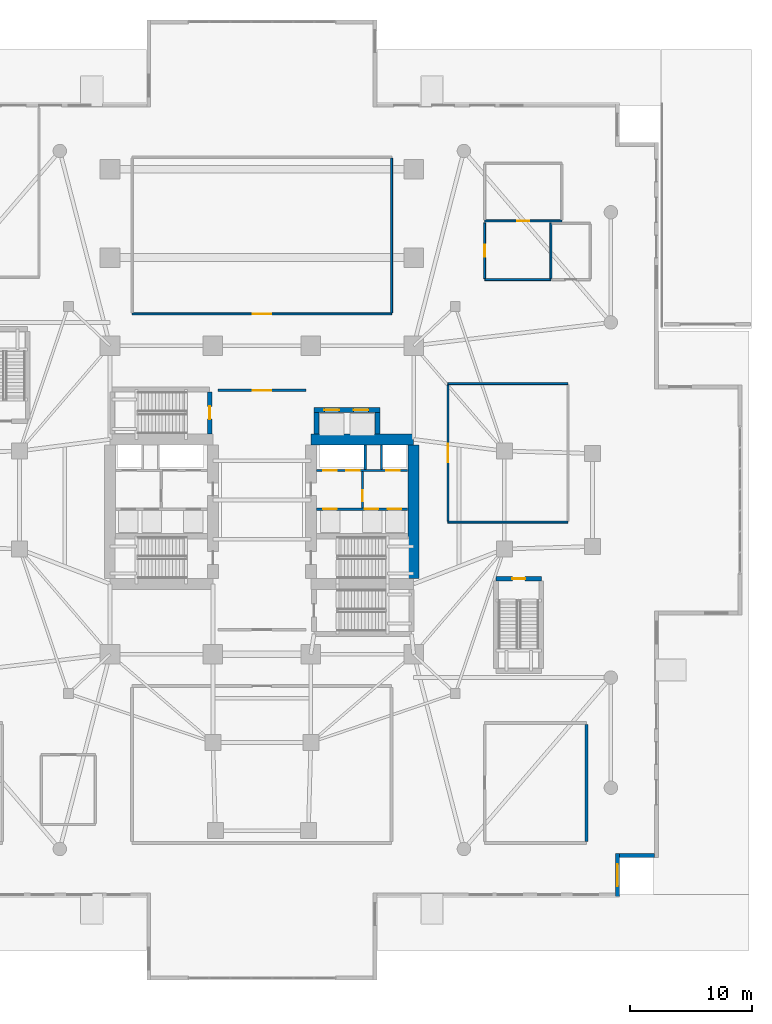
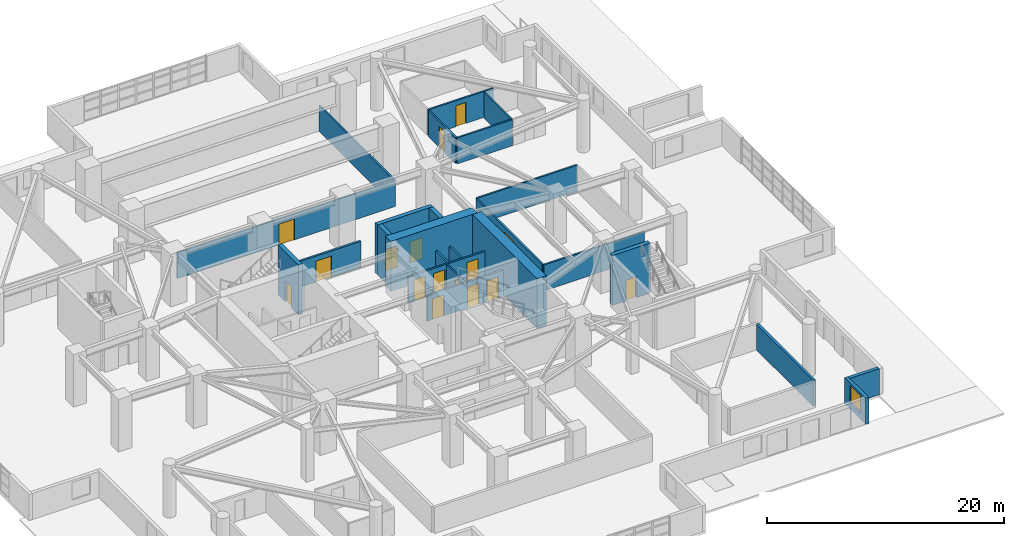
# One storey, part 15 of 24: 25 walls, 16 doors, 1 window, 17 openings.
"""IFC4 building model written with IfcOpenShell, lengths in metres."""

from ifc_helpers import new_model, si_unit, direction, frame, frame_2d, origin, place, context, subcontext, project, spatial, rectangle, extrude, material, layer, layer_set, type_object, element, fill, save


model = new_model("IFC4")

# Units and contexts
model_context = context("Model", 3, precision=1e-05, world=origin(), true_north=direction((0.0, 1.0)))
body_context = subcontext(model_context, "Body", "Model", "MODEL_VIEW")
ifc_project = project(units=[si_unit("LENGTHUNIT", "METRE"), si_unit("AREAUNIT", "SQUARE_METRE"), si_unit("VOLUMEUNIT", "CUBIC_METRE"), si_unit("PLANEANGLEUNIT", "RADIAN"), si_unit("MASSUNIT", "GRAM", prefix="KILO")], contexts=[model_context])

# Site, building, storey
site_placement = place(None, origin())
site = spatial("IfcSite", under=ifc_project, at=site_placement, CompositionType="ELEMENT")
building_placement = place(site_placement, origin())
building = spatial("IfcBuilding", under=site, at=building_placement, Name="Qingluan Cross Belvedere", CompositionType="ELEMENT")
storey_placement = place(building_placement, origin())
storey = spatial("IfcBuildingStorey", under=building, at=storey_placement, Name="L01", CompositionType="ELEMENT", Elevation=0.0)

# Wall, opening, door
ifc_material_1 = material(Name="Concrete C50", Category="concrete")
ifc_layer_1 = layer(ifc_material_1, 0.449951171875, Name="CoreShearWall_450")
ifc_layer_set_1 = layer_set([ifc_layer_1], Name="Concrete C50")
wall_type_1 = type_object("IfcWallType", Name="CoreShearWall_450", PredefinedType="SHEAR", material=ifc_layer_set_1)
wall_1_placement = place(storey_placement, frame((-4.260009765625, 5.405029296875, 0.0), z_axis=(0.0, 0.0, 1.0), x_axis=(0.0, 1.0, 0.0)))
wall_1 = element("IfcWall", 1, at=wall_1_placement, inside=storey, type_object=wall_type_1, Name="Stair ST3 structural wall E L01", PredefinedType="SHEAR", context=body_context, shape_type="SweptSolid", body=[
    extrude(rectangle(XDim=3.429931640625, YDim=0.39990234375, at=frame_2d((1.71484375, 0.0))), origin(), (0.0, 0.0, 1.0), 5.14990234375),
])
opening_1_placement = place(wall_1_placement, frame((1.195068359375, 0.0, 0.0)))
opening_1 = element("IfcOpeningElement", 2, at=opening_1_placement, cuts=wall_1, Name="Opening FD-B11", PredefinedType="OPENING", context=body_context, shape_type="SweptSolid", body=[
    extrude(rectangle(XDim=1.050048828125, YDim=2.14990234375, at=frame_2d((0.52490234375, 1.074951171875))), frame((0.0, 0.2099609375, 0.0), z_axis=(0.0, -1.0, 0.0), x_axis=(1.0, 0.0, 0.0)), (0.0, 0.0, 1.0), 0.419921875),
])
ifc_material_2 = material(Name="Steel Class B smoke-seal fire door", Category="steel")
door_type_1 = type_object("IfcDoorType", Name="StairLobbyFireDoor_FDB", OperationType="NOTDEFINED", PredefinedType="DOOR", material=ifc_material_2)
door_1_placement = place(opening_1_placement, origin())
door_1 = element("IfcDoor", 3, at=door_1_placement, inside=storey, type_object=door_type_1, Name="Smoke-proof stair ST3 fire door L01", OperationType="SINGLE_SWING_RIGHT", OverallHeight=2.14990234375, OverallWidth=1.050048828125, PredefinedType="DOOR", context=body_context, shape_type="SweptSolid", body=[
    extrude(rectangle(XDim=1.050048828125, YDim=2.14990234375, at=frame_2d((0.52490234375, 1.074951171875))), frame((0.0, 0.02490234375, 0.0), z_axis=(0.0, -1.0, 0.0), x_axis=(1.0, 0.0, 0.0)), (0.0, 0.0, 1.0), 0.050048828125),
])
fill(opening_1, door_1)

wall_2_placement = place(storey_placement, frame((19.1201171875, -6.429931640625, 0.0), z_axis=(0.0, 0.0, 1.0), x_axis=(1.0, 0.0, 0.0)))
wall_2 = element("IfcWall", 4, at=wall_2_placement, inside=storey, type_object=wall_type_1, Name="Stair ST6 structural wall N L01", PredefinedType="SHEAR", context=body_context, shape_type="SweptSolid", body=[
    extrude(rectangle(XDim=3.699951171875, YDim=0.39990234375, at=frame_2d((1.85009765625, 0.0))), origin(), (0.0, 0.0, 1.0), 5.14990234375),
])
opening_2_placement = place(wall_2_placement, frame((1.330078125, 0.0, 0.0)))
opening_2 = element("IfcOpeningElement", 5, at=opening_2_placement, cuts=wall_2, Name="Opening FD-B11", PredefinedType="OPENING", context=body_context, shape_type="SweptSolid", body=[
    extrude(rectangle(XDim=1.050048828125, YDim=2.14990234375, at=frame_2d((0.52490234375, 1.074951171875))), frame((0.0, 0.2099609375, 0.0), z_axis=(0.0, -1.0, 0.0), x_axis=(1.0, 0.0, 0.0)), (0.0, 0.0, 1.0), 0.419921875),
])
door_2_placement = place(opening_2_placement, origin())
door_2 = element("IfcDoor", 6, at=door_2_placement, inside=storey, type_object=door_type_1, Name="Podium stair ST6 smoke-proof fire door L01", OperationType="SINGLE_SWING_LEFT", OverallHeight=2.14990234375, OverallWidth=1.050048828125, PredefinedType="DOOR", context=body_context, shape_type="SweptSolid", body=[
    extrude(rectangle(XDim=1.050048828125, YDim=2.14990234375, at=frame_2d((0.52490234375, 1.074951171875))), frame((0.0, 0.02490234375, 0.0), z_axis=(0.0, -1.0, 0.0), x_axis=(1.0, 0.0, 0.0)), (0.0, 0.0, 1.0), 0.050048828125),
])
fill(opening_2, door_2)

# Wall
wall_3_placement = place(storey_placement, frame((4.449951171875, 5.405029296875, 0.0), z_axis=(0.0, 0.0, 1.0), x_axis=(0.0, 1.0, 0.0)))
element("IfcWall", 7, at=wall_3_placement, inside=storey, type_object=wall_type_1, Name="Express shuttle core wall L01-W", PredefinedType="SHEAR", context=body_context, shape_type="SweptSolid", body=[
    extrude(rectangle(XDim=1.73486328125, YDim=0.39990234375, at=frame_2d((0.867431640625, 0.0))), origin(), (0.0, 0.0, 1.0), 5.14990234375),
])

# Wall, openings, doors
wall_4_placement = place(storey_placement, frame((4.25, 7.35009765625, 0.0), z_axis=(0.0, 0.0, 1.0), x_axis=(1.0, 0.0, 0.0)))
wall_4 = element("IfcWall", 8, at=wall_4_placement, inside=storey, type_object=wall_type_1, Name="Express shuttle core wall L01-N", PredefinedType="SHEAR", context=body_context, shape_type="SweptSolid", body=[
    extrude(rectangle(XDim=5.39990234375, YDim=0.39990234375, at=frame_2d((2.699951171875, 0.0))), origin(), (0.0, 0.0, 1.0), 5.14990234375),
])
opening_3_placement = place(wall_4_placement, frame((0.85009765625, 0.0, 0.0)))
opening_3 = element("IfcOpeningElement", 9, at=opening_3_placement, cuts=wall_4, Name="Opening LD-12", PredefinedType="OPENING", context=body_context, shape_type="SweptSolid", body=[
    extrude(rectangle(XDim=1.199951171875, YDim=2.199951171875, at=frame_2d((0.60009765625, 1.10009765625))), frame((0.0, 0.2099609375, 0.0), z_axis=(0.0, -1.0, 0.0), x_axis=(1.0, 0.0, 0.0)), (0.0, 0.0, 1.0), 0.419921875),
])
opening_4_placement = place(wall_4_placement, frame((3.25, 0.0, 0.0)))
opening_4 = element("IfcOpeningElement", 10, at=opening_4_placement, cuts=wall_4, Name="Opening LD-12", PredefinedType="OPENING", context=body_context, shape_type="SweptSolid", body=[
    extrude(rectangle(XDim=1.199951171875, YDim=2.199951171875, at=frame_2d((0.60009765625, 1.10009765625))), frame((0.0, 0.2099609375, 0.0), z_axis=(0.0, -1.0, 0.0), x_axis=(1.0, 0.0, 0.0)), (0.0, 0.0, 1.0), 0.419921875),
])
ifc_material_3 = material(Name="Bronze-anodised stainless steel lift landing door", Category="steel")
door_type_2 = type_object("IfcDoorType", Name="ExpressLiftSlidingDoor_1200", OperationType="DOUBLE_DOOR_SLIDING", PredefinedType="DOOR", material=ifc_material_3)
door_3_placement = place(opening_3_placement, origin())
door_3 = element("IfcDoor", 11, at=door_3_placement, inside=storey, type_object=door_type_2, Name="Express shuttle landing sliding door LPX1 L01", OperationType="DOUBLE_DOOR_SLIDING", OverallHeight=2.199951171875, OverallWidth=1.199951171875, PredefinedType="DOOR", context=body_context, shape_type="SweptSolid", body=[
    extrude(rectangle(XDim=1.199951171875, YDim=2.199951171875, at=frame_2d((0.60009765625, 1.10009765625))), frame((0.0, 0.02490234375, 0.0), z_axis=(0.0, -1.0, 0.0), x_axis=(1.0, 0.0, 0.0)), (0.0, 0.0, 1.0), 0.050048828125),
])
fill(opening_3, door_3)
door_4_placement = place(opening_4_placement, origin())
door_4 = element("IfcDoor", 12, at=door_4_placement, inside=storey, type_object=door_type_2, Name="Express shuttle landing sliding door LPX2 L01", OperationType="DOUBLE_DOOR_SLIDING", OverallHeight=2.199951171875, OverallWidth=1.199951171875, PredefinedType="DOOR", context=body_context, shape_type="SweptSolid", body=[
    extrude(rectangle(XDim=1.199951171875, YDim=2.199951171875, at=frame_2d((0.60009765625, 1.10009765625))), frame((0.0, 0.02490234375, 0.0), z_axis=(0.0, -1.0, 0.0), x_axis=(1.0, 0.0, 0.0)), (0.0, 0.0, 1.0), 0.050048828125),
])
fill(opening_4, door_4)

# Walls
wall_5_placement = place(storey_placement, frame((9.449951171875, 5.405029296875, 0.0), z_axis=(0.0, 0.0, 1.0), x_axis=(0.0, 1.0, 0.0)))
element("IfcWall", 13, at=wall_5_placement, inside=storey, type_object=wall_type_1, Name="Express shuttle core wall L01-E", PredefinedType="SHEAR", context=body_context, shape_type="SweptSolid", body=[
    extrude(rectangle(XDim=1.73486328125, YDim=0.39990234375, at=frame_2d((0.867431640625, 0.0))), origin(), (0.0, 0.0, 1.0), 5.14990234375),
])
ifc_material_4 = material(Name="Concrete C70", Category="concrete")
ifc_layer_2 = layer(ifc_material_4, 0.89990234375, Name="CoreShearWall_900")
ifc_layer_set_2 = layer_set([ifc_layer_2], Name="Concrete C70")
wall_type_2 = type_object("IfcWallType", Name="CoreShearWall_900", PredefinedType="SHEAR", material=ifc_layer_set_2)
wall_6_placement = place(storey_placement, frame((4.0, 4.949951171875, 0.0), z_axis=(0.0, 0.0, 1.0), x_axis=(1.0, 0.0, 0.0)))
element("IfcWall", 14, at=wall_6_placement, inside=storey, type_object=wall_type_2, Name="Split core E shear wall L01-N", PredefinedType="SHEAR", context=body_context, shape_type="SweptSolid", body=[
    extrude(rectangle(XDim=8.39990234375, YDim=0.89990234375, at=frame_2d((4.199951171875, 0.0))), origin(), (0.0, 0.0, 1.0), 5.14990234375),
])
wall_7_placement = place(storey_placement, frame((12.39990234375, -6.39501953125, 0.0), z_axis=(0.0, 0.0, 1.0), x_axis=(0.0, 1.0, 0.0)))
element("IfcWall", 15, at=wall_7_placement, inside=storey, type_object=wall_type_2, Name="Split core E shear wall L01-E", PredefinedType="SHEAR", context=body_context, shape_type="SweptSolid", body=[
    extrude(rectangle(XDim=10.89013671875, YDim=0.89990234375, at=frame_2d((5.445068359375, 0.0))), origin(), (0.0, 0.0, 1.0), 5.14990234375),
])

# Wall, opening, door
ifc_material_5 = material(Name="Gypsum plasterboard on steel stud acoustic partition", Category="steel")
ifc_layer_3 = layer(ifc_material_5, 0.159912109375, Name="CorridorPartition_160")
ifc_layer_set_3 = layer_set([ifc_layer_3], Name="Gypsum plasterboard on steel stud acoustic partition")
wall_type_3 = type_object("IfcWallType", Name="CorridorPartition_160", PredefinedType="PARTITIONING", material=ifc_layer_set_3)
wall_8_placement = place(storey_placement, frame((-3.60009765625, 8.949951171875, 0.0), z_axis=(0.0, 0.0, 1.0), x_axis=(1.0, 0.0, 0.0)))
wall_8 = element("IfcWall", 16, at=wall_8_placement, inside=storey, type_object=wall_type_3, Name="Partition L01:ll_n:N", PredefinedType="PARTITIONING", context=body_context, shape_type="SweptSolid", body=[
    extrude(rectangle(XDim=7.2001953125, YDim=0.199951171875, at=frame_2d((3.60009765625, 0.0))), origin(), (0.0, 0.0, 1.0), 2.669921875),
])
opening_5_placement = place(wall_8_placement, frame((2.85009765625, 0.0, 0.0)))
opening_5 = element("IfcOpeningElement", 17, at=opening_5_placement, cuts=wall_8, Name="Opening FD-A15", PredefinedType="OPENING", context=body_context, shape_type="SweptSolid", body=[
    extrude(rectangle(XDim=1.5, YDim=2.14990234375, at=frame_2d((0.75, 1.074951171875))), frame((0.0, 0.10986328125, 0.0), z_axis=(0.0, -1.0, 0.0), x_axis=(1.0, 0.0, 0.0)), (0.0, 0.0, 1.0), 0.219970703125),
])
ifc_material_6 = material(Name="Insulated steel Class A double fire door", Category="steel")
door_type_3 = type_object("IfcDoorType", Name="PlantDoubleFireDoor_FDA", OperationType="DOUBLE_DOOR_SINGLE_SWING", PredefinedType="DOOR", material=ifc_material_6)
door_5_placement = place(opening_5_placement, origin())
door_5 = element("IfcDoor", 18, at=door_5_placement, inside=storey, type_object=door_type_3, Name="Ground stair lobby north exit door L01", OperationType="DOUBLE_DOOR_SINGLE_SWING", OverallHeight=2.14990234375, OverallWidth=1.5, PredefinedType="DOOR", context=body_context, shape_type="SweptSolid", body=[
    extrude(rectangle(XDim=1.5, YDim=2.14990234375, at=frame_2d((0.75, 1.074951171875))), frame((0.0, 0.02490234375, 0.0), z_axis=(0.0, -1.0, 0.0), x_axis=(1.0, 0.0, 0.0)), (0.0, 0.0, 1.0), 0.050048828125),
])
fill(opening_5, door_5)

wall_9_placement = place(storey_placement, frame((-10.60009765625, 15.199951171875, 0.0), z_axis=(0.0, 0.0, 1.0), x_axis=(1.0, 0.0, 0.0)))
wall_9 = element("IfcWall", 19, at=wall_9_placement, inside=storey, type_object=wall_type_3, Name="Partition L01:grand_ballroom:S", PredefinedType="PARTITIONING", context=body_context, shape_type="SweptSolid", body=[
    extrude(rectangle(XDim=21.2001953125, YDim=0.159912109375, at=frame_2d((10.60009765625, 0.0))), origin(), (0.0, 0.0, 1.0), 2.669921875),
])
opening_6_placement = place(wall_9_placement, frame((9.85009765625, 0.0, 0.0)))
opening_6 = element("IfcOpeningElement", 20, at=opening_6_placement, cuts=wall_9, Name="Opening FD-A15", PredefinedType="OPENING", context=body_context, shape_type="SweptSolid", body=[
    extrude(rectangle(XDim=1.5, YDim=2.14990234375, at=frame_2d((0.75, 1.074951171875))), frame((0.0, 0.08984375, 0.0), z_axis=(0.0, -1.0, 0.0), x_axis=(1.0, 0.0, 0.0)), (0.0, 0.0, 1.0), 0.179931640625),
])
door_6_placement = place(opening_6_placement, origin())
door_6 = element("IfcDoor", 21, at=door_6_placement, inside=storey, type_object=door_type_3, Name="Column-free grand ballroom L01 door", OperationType="DOUBLE_DOOR_SINGLE_SWING", OverallHeight=2.14990234375, OverallWidth=1.5, PredefinedType="DOOR", context=body_context, shape_type="SweptSolid", body=[
    extrude(rectangle(XDim=1.5, YDim=2.14990234375, at=frame_2d((0.75, 1.074951171875))), frame((0.0, 0.02490234375, 0.0), z_axis=(0.0, -1.0, 0.0), x_axis=(1.0, 0.0, 0.0)), (0.0, 0.0, 1.0), 0.050048828125),
])
fill(opening_6, door_6)

# Walls
wall_10_placement = place(storey_placement, frame((10.60009765625, 15.284912109375, 0.0), z_axis=(0.0, 0.0, 1.0), x_axis=(0.0, 1.0, 0.0)))
element("IfcWall", 22, at=wall_10_placement, inside=storey, type_object=wall_type_3, Name="Partition L01:grand_ballroom:E", PredefinedType="PARTITIONING", context=body_context, shape_type="SweptSolid", body=[
    extrude(rectangle(XDim=12.630126953125, YDim=0.159912109375, at=frame_2d((6.31494140625, 0.0))), origin(), (0.0, 0.0, 1.0), 2.669921875),
])
for number, where, z_axis, x_axis, name in (
    (23, (15.199951171875, -1.800048828125, 0.0), (0.0, 0.0, 1.0), (1.0, 0.0, 0.0), "Partition L01:obs_ticketing:S"),
    (24, (15.199951171875, 9.5, 0.0), (0.0, 0.0, 1.0), (1.0, 0.0, 0.0), "Partition L01:obs_ticketing:N"),
):
    element("IfcWall", number, at=place(storey_placement, frame(where, z_axis=z_axis, x_axis=x_axis)), inside=storey, type_object=wall_type_3, Name=name, PredefinedType="PARTITIONING", context=body_context, shape_type="SweptSolid", body=[
        extrude(rectangle(XDim=9.800048828125, YDim=0.159912109375, at=frame_2d((4.89990234375, 0.0))), origin(), (0.0, 0.0, 1.0), 2.669921875),
    ])

# Wall, opening, door
wall_11_placement = place(storey_placement, frame((15.199951171875, -1.715087890625, 0.0), z_axis=(0.0, 0.0, 1.0), x_axis=(0.0, 1.0, 0.0)))
wall_11 = element("IfcWall", 25, at=wall_11_placement, inside=storey, type_object=wall_type_3, Name="Partition L01:obs_ticketing:W", PredefinedType="PARTITIONING", context=body_context, shape_type="SweptSolid", body=[
    extrude(rectangle(XDim=11.130126953125, YDim=0.159912109375, at=frame_2d((5.56494140625, 0.0))), origin(), (0.0, 0.0, 1.0), 2.669921875),
])
opening_7_placement = place(wall_11_placement, frame((4.81494140625, 0.0, 0.0)))
opening_7 = element("IfcOpeningElement", 26, at=opening_7_placement, cuts=wall_11, Name="Opening FD-A15", PredefinedType="OPENING", context=body_context, shape_type="SweptSolid", body=[
    extrude(rectangle(XDim=1.5, YDim=2.14990234375, at=frame_2d((0.75, 1.074951171875))), frame((0.0, 0.08984375, 0.0), z_axis=(0.0, -1.0, 0.0), x_axis=(1.0, 0.0, 0.0)), (0.0, 0.0, 1.0), 0.179931640625),
])
door_7_placement = place(opening_7_placement, origin())
door_7 = element("IfcDoor", 27, at=door_7_placement, inside=storey, type_object=door_type_3, Name="Observation express shuttle ticketing foyer L01 door", OperationType="DOUBLE_DOOR_SINGLE_SWING", OverallHeight=2.14990234375, OverallWidth=1.5, PredefinedType="DOOR", context=body_context, shape_type="SweptSolid", body=[
    extrude(rectangle(XDim=1.5, YDim=2.14990234375, at=frame_2d((0.75, 1.074951171875))), frame((0.0, 0.02490234375, 0.0), z_axis=(0.0, -1.0, 0.0), x_axis=(1.0, 0.0, 0.0)), (0.0, 0.0, 1.0), 0.050048828125),
])
fill(opening_7, door_7)

wall_12_placement = place(storey_placement, frame((18.199951171875, 22.800048828125, 0.0), z_axis=(0.0, 0.0, 1.0), x_axis=(1.0, 0.0, 0.0)))
wall_12 = element("IfcWall", 28, at=wall_12_placement, inside=storey, type_object=wall_type_3, Name="Partition L01:luggage_rm:S", PredefinedType="PARTITIONING", context=body_context, shape_type="SweptSolid", body=[
    extrude(rectangle(XDim=6.300048828125, YDim=0.159912109375, at=frame_2d((3.14990234375, 0.0))), origin(), (0.0, 0.0, 1.0), 2.669921875),
])
opening_8_placement = place(wall_12_placement, frame((2.669921875, 0.0, 0.0)))
opening_8 = element("IfcOpeningElement", 29, at=opening_8_placement, cuts=wall_12, Name="Opening GD-10", PredefinedType="OPENING", context=body_context, shape_type="SweptSolid", body=[
    extrude(rectangle(XDim=0.9599609375, YDim=2.14990234375, at=frame_2d((0.47998046875, 1.074951171875))), frame((0.0, 0.08984375, 0.0), z_axis=(0.0, -1.0, 0.0), x_axis=(1.0, 0.0, 0.0)), (0.0, 0.0, 1.0), 0.179931640625),
])
ifc_material_7 = material(Name="Timber oak fire-rated acoustic guestroom door", Category="wood")
door_type_4 = type_object("IfcDoorType", Name="GuestEntryDoor_FD60", OperationType="NOTDEFINED", PredefinedType="DOOR", material=ifc_material_7)
door_8_placement = place(opening_8_placement, origin())
door_8 = element("IfcDoor", 30, at=door_8_placement, inside=storey, type_object=door_type_4, Name="Guest luggage storage room L01 door", OperationType="SINGLE_SWING_LEFT", OverallHeight=2.14990234375, OverallWidth=0.9599609375, PredefinedType="DOOR", context=body_context, shape_type="SweptSolid", body=[
    extrude(rectangle(XDim=0.9599609375, YDim=2.14990234375, at=frame_2d((0.47998046875, 1.074951171875))), frame((0.0, 0.02490234375, 0.0), z_axis=(0.0, -1.0, 0.0), x_axis=(1.0, 0.0, 0.0)), (0.0, 0.0, 1.0), 0.050048828125),
])
fill(opening_8, door_8)

# Wall
wall_13_placement = place(storey_placement, frame((18.199951171875, 18.0, 0.0), z_axis=(0.0, 0.0, 1.0), x_axis=(1.0, 0.0, 0.0)))
element("IfcWall", 31, at=wall_13_placement, inside=storey, type_object=wall_type_3, Name="Partition L01:pub_wc_m:S", PredefinedType="PARTITIONING", context=body_context, shape_type="SweptSolid", body=[
    extrude(rectangle(XDim=5.400146484375, YDim=0.159912109375, at=frame_2d((2.7001953125, 0.0))), origin(), (0.0, 0.0, 1.0), 2.669921875),
])

# Wall, opening, door
wall_14_placement = place(storey_placement, frame((18.199951171875, 18.0849609375, 0.0), z_axis=(0.0, 0.0, 1.0), x_axis=(0.0, 1.0, 0.0)))
wall_14 = element("IfcWall", 32, at=wall_14_placement, inside=storey, type_object=wall_type_3, Name="Partition L01:pub_wc_m:W", PredefinedType="PARTITIONING", context=body_context, shape_type="SweptSolid", body=[
    extrude(rectangle(XDim=4.550048828125, YDim=0.159912109375, at=frame_2d((2.27490234375, 0.0))), origin(), (0.0, 0.0, 1.0), 2.669921875),
])
opening_9_placement = place(wall_14_placement, frame((1.794921875, 0.0, 0.0)))
opening_9 = element("IfcOpeningElement", 33, at=opening_9_placement, cuts=wall_14, Name="Opening GD-10", PredefinedType="OPENING", context=body_context, shape_type="SweptSolid", body=[
    extrude(rectangle(XDim=0.9599609375, YDim=2.14990234375, at=frame_2d((0.47998046875, 1.074951171875))), frame((0.0, 0.08984375, 0.0), z_axis=(0.0, -1.0, 0.0), x_axis=(1.0, 0.0, 0.0)), (0.0, 0.0, 1.0), 0.179931640625),
])
door_9_placement = place(opening_9_placement, origin())
door_9 = element("IfcDoor", 34, at=door_9_placement, inside=storey, type_object=door_type_4, Name="Public washrooms L01 door", OperationType="SINGLE_SWING_RIGHT", OverallHeight=2.14990234375, OverallWidth=0.9599609375, PredefinedType="DOOR", context=body_context, shape_type="SweptSolid", body=[
    extrude(rectangle(XDim=0.9599609375, YDim=2.14990234375, at=frame_2d((0.47998046875, 1.074951171875))), frame((0.0, 0.02490234375, 0.0), z_axis=(0.0, -1.0, 0.0), x_axis=(1.0, 0.0, 0.0)), (0.0, 0.0, 1.0), 0.050048828125),
])
fill(opening_9, door_9)

# Walls
wall_15_placement = place(storey_placement, frame((23.60009765625, 18.0849609375, 0.0), z_axis=(0.0, 0.0, 1.0), x_axis=(0.0, 1.0, 0.0)))
element("IfcWall", 35, at=wall_15_placement, inside=storey, type_object=wall_type_3, Name="Partition L01:pub_wc_m:E", PredefinedType="PARTITIONING", context=body_context, shape_type="SweptSolid", body=[
    extrude(rectangle(XDim=4.550048828125, YDim=0.159912109375, at=frame_2d((2.27490234375, 0.0))), origin(), (0.0, 0.0, 1.0), 2.669921875),
])
ifc_material_8 = material(Name="Concrete C40", Category="concrete")
ifc_layer_4 = layer(ifc_material_8, 0.300048828125, Name="FireCompartmentWall_300")
ifc_layer_set_4 = layer_set([ifc_layer_4], Name="Concrete C40")
wall_type_4 = type_object("IfcWallType", Name="FireCompartmentWall_300", PredefinedType="SOLIDWALL", material=ifc_layer_set_4)
wall_16_placement = place(storey_placement, frame((26.5, -27.875, 0.0), z_axis=(0.0, 0.0, 1.0), x_axis=(0.0, 1.0, 0.0)))
element("IfcWall", 36, at=wall_16_placement, inside=storey, type_object=wall_type_4, Name="Partition L01:all_day_dining:E", PredefinedType="SOLIDWALL", context=body_context, shape_type="SweptSolid", body=[
    extrude(rectangle(XDim=9.550048828125, YDim=0.239990234375, at=frame_2d((4.77490234375, 0.0))), origin(), (0.0, 0.0, 1.0), 2.669921875),
])
ifc_material_9 = material(Name="Precast concrete C45", Category="concrete")
ifc_layer_5 = layer(ifc_material_9, 0.320068359375, Name="PrecastPodiumWall_320")
ifc_layer_set_5 = layer_set([ifc_layer_5], Name="Precast concrete C45")
wall_type_5 = type_object("IfcWallType", Name="PrecastPodiumWall_320", PredefinedType="STANDARD", material=ifc_layer_set_5)
wall_17_placement = place(storey_placement, frame((32.080078125, -29.0400390625, 0.0), z_axis=(0.0, 0.0, 1.0), x_axis=(-1.0, 0.0, 0.0)))
element("IfcWall", 37, at=wall_17_placement, inside=storey, type_object=wall_type_5, Name="Podium precast facade wall L01-S31", PredefinedType="STANDARD", context=body_context, shape_type="SweptSolid", body=[
    extrude(rectangle(XDim=2.880126953125, YDim=0.320068359375, at=frame_2d((1.43994140625, 0.0))), origin(), (0.0, 0.0, 1.0), 2.679931640625),
])

# Wall, opening, window
wall_18_placement = place(storey_placement, frame((29.0400390625, -28.8798828125, 0.0), z_axis=(0.0, 0.0, 1.0), x_axis=(0.0, -1.0, 0.0)))
wall_18 = element("IfcWall", 38, at=wall_18_placement, inside=storey, type_object=wall_type_5, Name="Podium precast facade wall L01-S32", PredefinedType="STANDARD", context=body_context, shape_type="SweptSolid", body=[
    extrude(rectangle(XDim=3.52001953125, YDim=0.320068359375, at=frame_2d((1.760009765625, 0.0))), origin(), (0.0, 0.0, 1.0), 2.679931640625),
])
opening_10_placement = place(wall_18_placement, frame((0.85009765625, 0.0, 0.64990234375)))
opening_10 = element("IfcOpeningElement", 39, at=opening_10_placement, cuts=wall_18, Name="Opening W-06", PredefinedType="OPENING", context=body_context, shape_type="SweptSolid", body=[
    extrude(rectangle(XDim=1.800048828125, YDim=1.800048828125, at=frame_2d((0.89990234375, 0.89990234375))), frame((0.0, 0.169921875, 0.0), z_axis=(0.0, -1.0, 0.0), x_axis=(1.0, 0.0, 0.0)), (0.0, 0.0, 1.0), 0.340087890625),
])
ifc_material_10 = material(Name="Thermally broken triple Low-E glass in aluminium frame", Category="aluminium")
window_type = type_object("IfcWindowType", Name="PodiumGalleryWin_1800x1800", PartitioningType="SINGLE_PANEL", PredefinedType="WINDOW", material=ifc_material_10)
window_placement = place(opening_10_placement, origin())
window = element("IfcWindow", 40, at=window_placement, inside=storey, type_object=window_type, Name="Podium gallery window L01-S32", OverallHeight=1.800048828125, OverallWidth=1.800048828125, PartitioningType="SINGLE_PANEL", PredefinedType="WINDOW", context=body_context, shape_type="SweptSolid", body=[
    extrude(rectangle(XDim=1.800048828125, YDim=1.800048828125, at=frame_2d((0.89990234375, 0.89990234375))), frame((0.0, 0.030029296875, 0.0), z_axis=(0.0, -1.0, 0.0), x_axis=(1.0, 0.0, 0.0)), (0.0, 0.0, 1.0), 0.06005859375),
])
fill(opening_10, window)

# Wall, openings, doors
ifc_material_11 = material(Name="Concrete C40", Category="concrete")
ifc_layer_6 = layer(ifc_material_11, 0.219970703125, Name="ShaftEnclosureWall_250")
ifc_layer_set_6 = layer_set([ifc_layer_6], Name="Concrete C40")
wall_type_6 = type_object("IfcWallType", Name="ShaftEnclosureWall_250", PredefinedType="SOLIDWALL", material=ifc_layer_set_6)
wall_19_placement = place(storey_placement, frame((4.47998046875, 2.409912109375, 0.0), z_axis=(0.0, 0.0, 1.0), x_axis=(1.0, 0.0, 0.0)))
wall_19 = element("IfcWall", 41, at=wall_19_placement, inside=storey, type_object=wall_type_6, Name="Core-E north hoistway wall L01", PredefinedType="SOLIDWALL", context=body_context, shape_type="SweptSolid", body=[
    extrude(rectangle(XDim=7.419921875, YDim=0.179931640625, at=frame_2d((3.7099609375, 0.0))), origin(), (0.0, 0.0, 1.0), 2.669921875),
])
opening_11_placement = place(wall_19_placement, frame((5.669921875, 0.0, 0.0)))
opening_11 = element("IfcOpeningElement", 42, at=opening_11_placement, cuts=wall_19, Name="Opening LD-11", PredefinedType="OPENING", context=body_context, shape_type="SweptSolid", body=[
    extrude(rectangle(XDim=1.10009765625, YDim=2.14990234375, at=frame_2d((0.550048828125, 1.074951171875))), frame((0.0, 0.099853515625, 0.0), z_axis=(0.0, -1.0, 0.0), x_axis=(1.0, 0.0, 0.0)), (0.0, 0.0, 1.0), 0.199951171875),
])
opening_12_placement = place(wall_19_placement, frame((0.52001953125, 0.0, 0.0)))
opening_12 = element("IfcOpeningElement", 43, at=opening_12_placement, cuts=wall_19, Name="Opening LD-11", PredefinedType="OPENING", context=body_context, shape_type="SweptSolid", body=[
    extrude(rectangle(XDim=1.10009765625, YDim=2.14990234375, at=frame_2d((0.550048828125, 1.074951171875))), frame((0.0, 0.099853515625, 0.0), z_axis=(0.0, -1.0, 0.0), x_axis=(1.0, 0.0, 0.0)), (0.0, 0.0, 1.0), 0.199951171875),
])
opening_13_placement = place(wall_19_placement, frame((2.419921875, 0.0, 0.0)))
opening_13 = element("IfcOpeningElement", 44, at=opening_13_placement, cuts=wall_19, Name="Opening LD-11", PredefinedType="OPENING", context=body_context, shape_type="SweptSolid", body=[
    extrude(rectangle(XDim=1.10009765625, YDim=2.14990234375, at=frame_2d((0.550048828125, 1.074951171875))), frame((0.0, 0.099853515625, 0.0), z_axis=(0.0, -1.0, 0.0), x_axis=(1.0, 0.0, 0.0)), (0.0, 0.0, 1.0), 0.199951171875),
])
ifc_material_12 = material(Name="Brushed stainless steel centre-opening lift landing door", Category="steel")
door_type_5 = type_object("IfcDoorType", Name="LiftLandingSlidingDoor_1100", OperationType="DOUBLE_DOOR_SLIDING", PredefinedType="DOOR", material=ifc_material_12)
door_10_placement = place(opening_11_placement, origin())
door_10 = element("IfcDoor", 45, at=door_10_placement, inside=storey, type_object=door_type_5, Name="Lift landing sliding door FL2 L01", OperationType="DOUBLE_DOOR_SLIDING", OverallHeight=2.14990234375, OverallWidth=1.10009765625, PredefinedType="DOOR", context=body_context, shape_type="SweptSolid", body=[
    extrude(rectangle(XDim=1.10009765625, YDim=2.14990234375, at=frame_2d((0.550048828125, 1.074951171875))), frame((0.0, 0.02490234375, 0.0), z_axis=(0.0, -1.0, 0.0), x_axis=(1.0, 0.0, 0.0)), (0.0, 0.0, 1.0), 0.050048828125),
])
fill(opening_11, door_10)
door_11_placement = place(opening_12_placement, origin())
door_11 = element("IfcDoor", 46, at=door_11_placement, inside=storey, type_object=door_type_5, Name="Lift landing sliding door LP3 L01", OperationType="DOUBLE_DOOR_SLIDING", OverallHeight=2.14990234375, OverallWidth=1.10009765625, PredefinedType="DOOR", context=body_context, shape_type="SweptSolid", body=[
    extrude(rectangle(XDim=1.10009765625, YDim=2.14990234375, at=frame_2d((0.550048828125, 1.074951171875))), frame((0.0, 0.02490234375, 0.0), z_axis=(0.0, -1.0, 0.0), x_axis=(1.0, 0.0, 0.0)), (0.0, 0.0, 1.0), 0.050048828125),
])
fill(opening_12, door_11)
door_12_placement = place(opening_13_placement, origin())
door_12 = element("IfcDoor", 47, at=door_12_placement, inside=storey, type_object=door_type_5, Name="Lift landing sliding door LP4 L01", OperationType="DOUBLE_DOOR_SLIDING", OverallHeight=2.14990234375, OverallWidth=1.10009765625, PredefinedType="DOOR", context=body_context, shape_type="SweptSolid", body=[
    extrude(rectangle(XDim=1.10009765625, YDim=2.14990234375, at=frame_2d((0.550048828125, 1.074951171875))), frame((0.0, 0.02490234375, 0.0), z_axis=(0.0, -1.0, 0.0), x_axis=(1.0, 0.0, 0.0)), (0.0, 0.0, 1.0), 0.050048828125),
])
fill(opening_13, door_12)

wall_20_placement = place(storey_placement, frame((4.47998046875, -0.75, 0.0), z_axis=(0.0, 0.0, 1.0), x_axis=(1.0, 0.0, 0.0)))
wall_20 = element("IfcWall", 48, at=wall_20_placement, inside=storey, type_object=wall_type_6, Name="Core-E mid hoistway wall L01", PredefinedType="SOLIDWALL", context=body_context, shape_type="SweptSolid", body=[
    extrude(rectangle(XDim=7.419921875, YDim=0.179931640625, at=frame_2d((3.7099609375, 0.0))), origin(), (0.0, 0.0, 1.0), 2.669921875),
])
opening_14_placement = place(wall_20_placement, frame((0.52001953125, 0.0, 0.0)))
opening_14 = element("IfcOpeningElement", 49, at=opening_14_placement, cuts=wall_20, Name="Opening LD-11", PredefinedType="OPENING", context=body_context, shape_type="SweptSolid", body=[
    extrude(rectangle(XDim=1.10009765625, YDim=2.14990234375, at=frame_2d((0.550048828125, 1.074951171875))), frame((0.0, 0.099853515625, 0.0), z_axis=(0.0, -1.0, 0.0), x_axis=(1.0, 0.0, 0.0)), (0.0, 0.0, 1.0), 0.199951171875),
])
opening_15_placement = place(wall_20_placement, frame((3.919921875, 0.0, 0.0)))
opening_15 = element("IfcOpeningElement", 50, at=opening_15_placement, cuts=wall_20, Name="Opening LD-11", PredefinedType="OPENING", context=body_context, shape_type="SweptSolid", body=[
    extrude(rectangle(XDim=1.10009765625, YDim=2.14990234375, at=frame_2d((0.550048828125, 1.074951171875))), frame((0.0, 0.099853515625, 0.0), z_axis=(0.0, -1.0, 0.0), x_axis=(1.0, 0.0, 0.0)), (0.0, 0.0, 1.0), 0.199951171875),
])
opening_16_placement = place(wall_20_placement, frame((5.820068359375, 0.0, 0.0)))
opening_16 = element("IfcOpeningElement", 51, at=opening_16_placement, cuts=wall_20, Name="Opening LD-11", PredefinedType="OPENING", context=body_context, shape_type="SweptSolid", body=[
    extrude(rectangle(XDim=1.10009765625, YDim=2.14990234375, at=frame_2d((0.550048828125, 1.074951171875))), frame((0.0, 0.099853515625, 0.0), z_axis=(0.0, -1.0, 0.0), x_axis=(1.0, 0.0, 0.0)), (0.0, 0.0, 1.0), 0.199951171875),
])
door_13_placement = place(opening_14_placement, origin())
door_13 = element("IfcDoor", 52, at=door_13_placement, inside=storey, type_object=door_type_5, Name="Lift landing sliding door LP7 L01", OperationType="DOUBLE_DOOR_SLIDING", OverallHeight=2.14990234375, OverallWidth=1.10009765625, PredefinedType="DOOR", context=body_context, shape_type="SweptSolid", body=[
    extrude(rectangle(XDim=1.10009765625, YDim=2.14990234375, at=frame_2d((0.550048828125, 1.074951171875))), frame((0.0, 0.02490234375, 0.0), z_axis=(0.0, -1.0, 0.0), x_axis=(1.0, 0.0, 0.0)), (0.0, 0.0, 1.0), 0.050048828125),
])
fill(opening_14, door_13)
door_14_placement = place(opening_15_placement, origin())
door_14 = element("IfcDoor", 53, at=door_14_placement, inside=storey, type_object=door_type_5, Name="Lift landing sliding door LP9 L01", OperationType="DOUBLE_DOOR_SLIDING", OverallHeight=2.14990234375, OverallWidth=1.10009765625, PredefinedType="DOOR", context=body_context, shape_type="SweptSolid", body=[
    extrude(rectangle(XDim=1.10009765625, YDim=2.14990234375, at=frame_2d((0.550048828125, 1.074951171875))), frame((0.0, 0.02490234375, 0.0), z_axis=(0.0, -1.0, 0.0), x_axis=(1.0, 0.0, 0.0)), (0.0, 0.0, 1.0), 0.050048828125),
])
fill(opening_15, door_14)
door_15_placement = place(opening_16_placement, origin())
door_15 = element("IfcDoor", 54, at=door_15_placement, inside=storey, type_object=door_type_5, Name="Lift landing sliding door LP10 L01", OperationType="DOUBLE_DOOR_SLIDING", OverallHeight=2.14990234375, OverallWidth=1.10009765625, PredefinedType="DOOR", context=body_context, shape_type="SweptSolid", body=[
    extrude(rectangle(XDim=1.10009765625, YDim=2.14990234375, at=frame_2d((0.550048828125, 1.074951171875))), frame((0.0, 0.02490234375, 0.0), z_axis=(0.0, -1.0, 0.0), x_axis=(1.0, 0.0, 0.0)), (0.0, 0.0, 1.0), 0.050048828125),
])
fill(opening_16, door_15)

# Walls
for number, where, z_axis, x_axis, name in (
    (55, (8.43994140625, 2.5, 0.0), (0.0, 0.0, 1.0), (0.0, 1.0, 0.0), "Hoistway enclosure divider LP4E L01"),
    (56, (9.760009765625, 2.5, 0.0), (0.0, 0.0, 1.0), (0.0, 1.0, 0.0), "Hoistway enclosure divider FL2W L01"),
):
    element("IfcWall", number, at=place(storey_placement, frame(where, z_axis=z_axis, x_axis=x_axis)), inside=storey, type_object=wall_type_6, Name=name, PredefinedType="SOLIDWALL", context=body_context, shape_type="SweptSolid", body=[
        extrude(rectangle(XDim=1.989990234375, YDim=0.179931640625, at=frame_2d((0.9951171875, 0.0))), origin(), (0.0, 0.0, 1.0), 2.669921875),
    ])

# Wall, opening, door
wall_21_placement = place(storey_placement, frame((8.219970703125, -0.64990234375, 0.0), z_axis=(0.0, 0.0, 1.0), x_axis=(0.0, 1.0, 0.0)))
wall_21 = element("IfcWall", 57, at=wall_21_placement, inside=storey, type_object=wall_type_6, Name="Core-E service corridor wall L01", PredefinedType="SOLIDWALL", context=body_context, shape_type="SweptSolid", body=[
    extrude(rectangle(XDim=2.9599609375, YDim=0.139892578125, at=frame_2d((1.47998046875, 0.0))), origin(), (0.0, 0.0, 1.0), 2.669921875),
])
opening_17_placement = place(wall_21_placement, frame((0.550048828125, 0.0, 0.0)))
opening_17 = element("IfcOpeningElement", 58, at=opening_17_placement, cuts=wall_21, Name="Opening FD-B10", PredefinedType="OPENING", context=body_context, shape_type="SweptSolid", body=[
    extrude(rectangle(XDim=0.8798828125, YDim=2.10009765625, at=frame_2d((0.43994140625, 1.050048828125))), frame((0.0, 0.079833984375, 0.0), z_axis=(0.0, -1.0, 0.0), x_axis=(1.0, 0.0, 0.0)), (0.0, 0.0, 1.0), 0.159912109375),
])
ifc_material_13 = material(Name="Steel Class B service fire door", Category="steel")
door_type_6 = type_object("IfcDoorType", Name="RiserServiceFireDoor_FDB", OperationType="NOTDEFINED", PredefinedType="DOOR", material=ifc_material_13)
door_16_placement = place(opening_17_placement, origin())
door_16 = element("IfcDoor", 59, at=door_16_placement, inside=storey, type_object=door_type_6, Name="Core-E service room door L01", OperationType="SINGLE_SWING_LEFT", OverallHeight=2.10009765625, OverallWidth=0.8798828125, PredefinedType="DOOR", context=body_context, shape_type="SweptSolid", body=[
    extrude(rectangle(XDim=0.8798828125, YDim=2.10009765625, at=frame_2d((0.43994140625, 1.050048828125))), frame((0.0, 0.02490234375, 0.0), z_axis=(0.0, -1.0, 0.0), x_axis=(1.0, 0.0, 0.0)), (0.0, 0.0, 1.0), 0.050048828125),
])
fill(opening_17, door_16)

save(model, "model.ifc")
